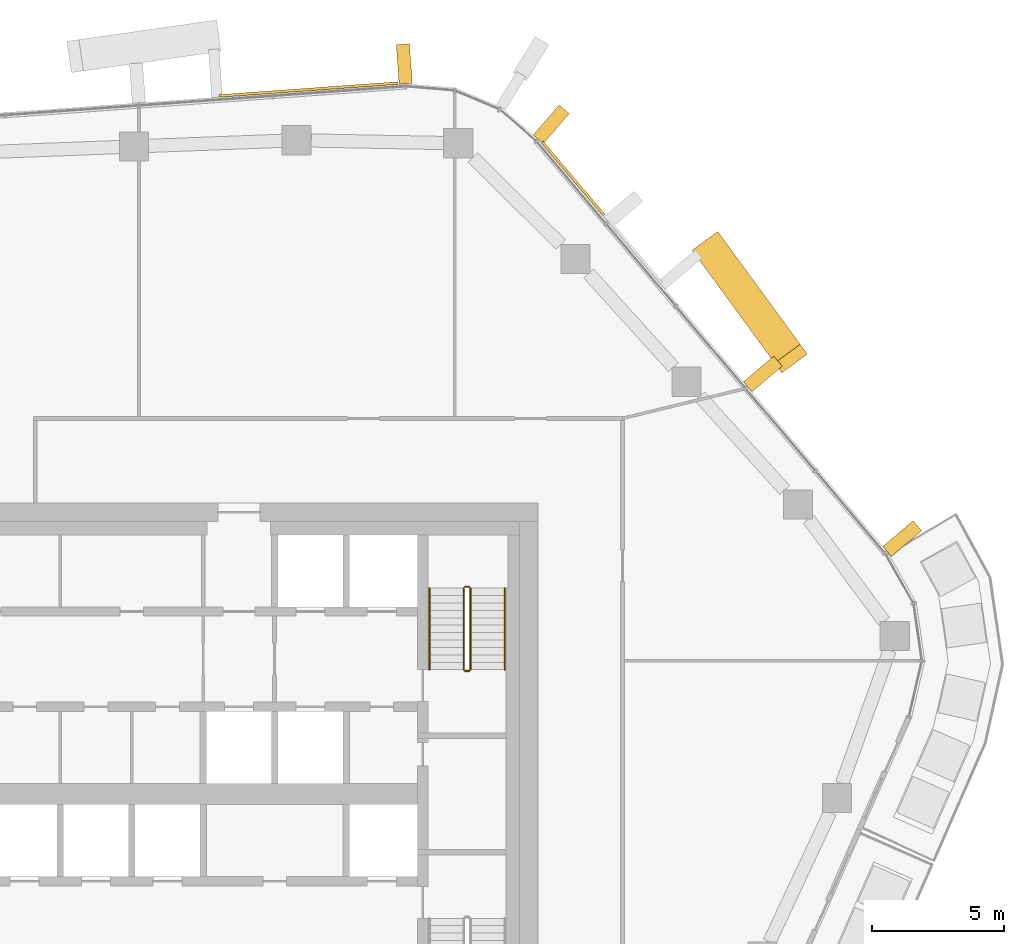
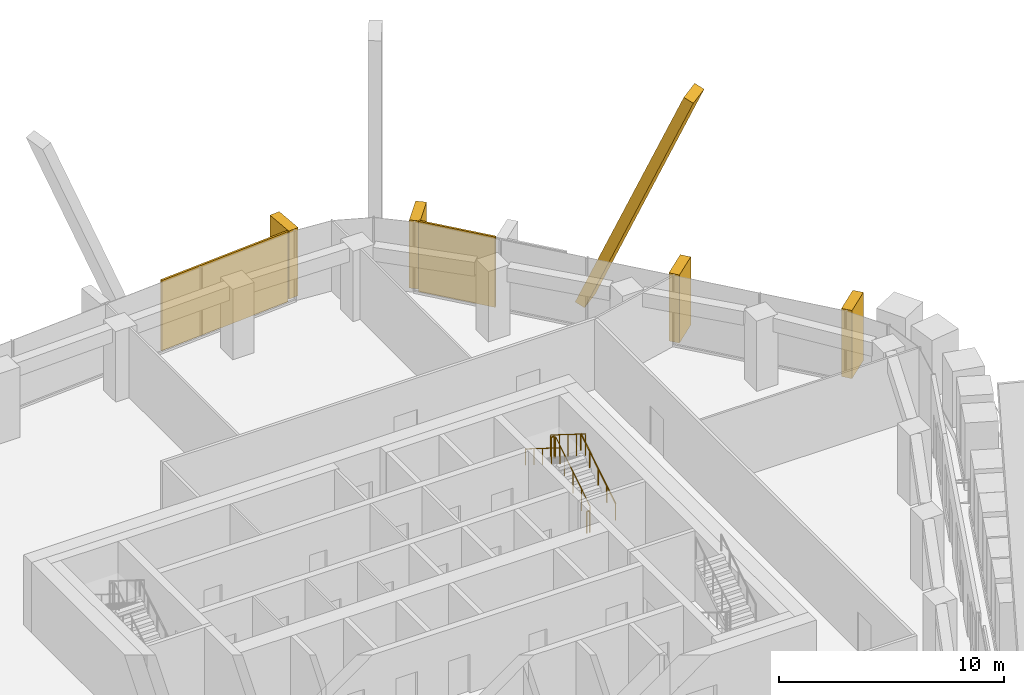
# One storey, part 19 of 20: 7 coverings, 6 railings, 3 elements without a shape of their own.
"""IFC4 building model written with IfcOpenShell, lengths in metres."""

from ifc_helpers import new_model, si_unit, direction, frame, origin, origin_2d, place, context, subcontext, project, spatial, rectangle, circle, extrude, material, layer, layer_set, material_profile, profile_set, type_object, element, aggregate, save


model = new_model("IFC4")

# Units and contexts
model_context = context("Model", 3, precision=1e-05, world=origin(), true_north=direction((0.0, 1.0)))
body_context = subcontext(model_context, "Body", "Model", "MODEL_VIEW")
ifc_project = project(units=[si_unit("LENGTHUNIT", "METRE"), si_unit("AREAUNIT", "SQUARE_METRE"), si_unit("VOLUMEUNIT", "CUBIC_METRE"), si_unit("PLANEANGLEUNIT", "RADIAN"), si_unit("MASSUNIT", "GRAM", prefix="KILO")], contexts=[model_context])

# Site, building, storey
site_placement = place(None, origin())
site = spatial("IfcSite", under=ifc_project, at=site_placement, CompositionType="ELEMENT")
building_placement = place(site_placement, origin())
building = spatial("IfcBuilding", under=site, at=building_placement, Name="Dongbaek Canopy Tower", CompositionType="ELEMENT")
storey_placement = place(building_placement, frame((0.0, 0.0, 266.39990234375)))
storey = spatial("IfcBuildingStorey", under=building, at=storey_placement, Name="L56", CompositionType="ELEMENT", Elevation=266.39990234375)

# Curtain wall, coverings
ifc_material_1 = material(Name="Aluminium 6063-T6 pale anodised", Category="aluminium")
ifc_layer_1 = layer(ifc_material_1, 0.199951171875)
ifc_layer_set_1 = layer_set([ifc_layer_1], Name="CW-1 unitised tower curtain wall")
curtain_wall_type = type_object("IfcCurtainWallType", Name="CW-1 unitised tower curtain wall", PredefinedType="NOTDEFINED", material=ifc_layer_set_1)
curtain_wall_1_placement = place(storey_placement, origin())
curtain_wall_1 = element("IfcCurtainWall", 1, at=curtain_wall_1_placement, inside=storey, type_object=curtain_wall_type, Name="CW-1 curtain wall F0.1", PredefinedType="NOTDEFINED")
ifc_material_2 = material(Name="Aluminium 6063-T6 pale metal fin", Category="aluminium")
ifc_material_profile_1 = material_profile(ifc_material_2, rectangle(XDim=1.199951171875, YDim=0.5, at=origin_2d()), Name="Crease fin CF1 500 x 1200 pale metal")
ifc_profile_set_1 = profile_set([ifc_material_profile_1], Name="Aluminium 6063-T6 pale metal fin")
covering_type_1 = type_object("IfcCoveringType", Name="Crease fin CF1 500 x 1200 pale metal", PredefinedType="CLADDING", material=ifc_profile_set_1)
covering_1_placement = place(storey_placement, frame((20.4501953125, 20.724365234375, -0.18994140625), z_axis=(0.228238257247, -0.312150169564, 0.922209070423), x_axis=(0.807232769031, 0.590233222212, 0.0)))
covering_1 = element("IfcCovering", 2, at=covering_1_placement, type_object=covering_type_1, Name="Crease fin L56 L59 F0", PredefinedType="CLADDING", context=body_context, shape_type="SweptSolid", body=[
    extrude(rectangle(XDim=1.199951171875, YDim=0.5, at=origin_2d()), origin(), (0.0, 0.0, 1.0), 13.662841796875),
])
ifc_material_3 = material(Name="Perforated aluminium 6063-T6 pale metal screen", Category="aluminium")
ifc_layer_2 = layer(ifc_material_3, 0.10009765625)
ifc_layer_set_2 = layer_set([ifc_layer_2], Name="Facet screen FS1 100 pale metal")
covering_type_2 = type_object("IfcCoveringType", Name="Facet screen FS1 100 pale metal", PredefinedType="CLADDING", material=ifc_layer_set_2)
covering_2_placement = place(storey_placement, frame((15.335205078125, 23.26220703125, 0.0), z_axis=(0.0, 0.0, 1.0), x_axis=(-0.6460547082, 0.763291106991, 0.0)))
covering_2 = element("IfcCovering", 3, at=covering_2_placement, type_object=covering_type_2, Name="Facet screen L56 F0", PredefinedType="CLADDING", context=body_context, shape_type="SweptSolid", body=[
    extrude(rectangle(XDim=3.627197265625, YDim=0.10009765625, at=origin_2d()), origin(), (0.0, 0.0, 1.0), 3.820068359375),
])

# Curtain wall, covering
curtain_wall_2_placement = place(storey_placement, origin())
curtain_wall_2 = element("IfcCurtainWall", 4, at=curtain_wall_2_placement, inside=storey, type_object=curtain_wall_type, Name="CW-1 curtain wall F1.1", PredefinedType="NOTDEFINED")
covering_3_placement = place(storey_placement, frame((5.3271484375, 26.632080078125, 0.0), z_axis=(0.0, 0.0, 1.0), x_axis=(-0.997423032604, -0.07174464462, 0.0)))
covering_3 = element("IfcCovering", 5, at=covering_3_placement, type_object=covering_type_2, Name="Facet screen L56 F1", PredefinedType="CLADDING", context=body_context, shape_type="SweptSolid", body=[
    extrude(rectangle(XDim=6.785400390625, YDim=0.10009765625, at=origin_2d()), origin(), (0.0, 0.0, 1.0), 3.820068359375),
])

# Covering
ifc_material_4 = material(Name="Aluminium 6063-T6 pale metal fin", Category="aluminium")
ifc_material_profile_2 = material_profile(ifc_material_4, rectangle(XDim=1.5, YDim=0.5, at=origin_2d()), Name="Fin FN1 500 x 1500 pale metal")
ifc_profile_set_2 = profile_set([ifc_material_profile_2], Name="Aluminium 6063-T6 pale metal fin")
covering_type_3 = type_object("IfcCoveringType", Name="Fin FN1 500 x 1500 pale metal", PredefinedType="CLADDING", material=ifc_profile_set_2)
covering_4_placement = place(storey_placement, frame((27.77587890625, 9.65380859375, 0.1201171875), z_axis=(0.0, 0.0, 1.0), x_axis=(0.763290756517, 0.646055122273, 0.0)))
covering_4 = element("IfcCovering", 6, at=covering_4_placement, type_object=covering_type_3, Name="Fin F0.1.1", PredefinedType="CLADDING", context=body_context, shape_type="SweptSolid", body=[
    extrude(rectangle(XDim=1.5, YDim=0.5, at=origin_2d()), origin(), (0.0, 0.0, 1.0), 3.699951171875),
])

covering_5_placement = place(storey_placement, frame((22.5068359375, 15.87890625, 0.1201171875), z_axis=(0.0, 0.0, 1.0), x_axis=(0.763290756517, 0.646055122273, 0.0)))
covering_5 = element("IfcCovering", 7, at=covering_5_placement, type_object=covering_type_3, Name="Fin F0.1.3", PredefinedType="CLADDING", context=body_context, shape_type="SweptSolid", body=[
    extrude(rectangle(XDim=1.5, YDim=0.5, at=origin_2d()), origin(), (0.0, 0.0, 1.0), 3.699951171875),
])

aggregate(curtain_wall_1, [covering_4, covering_5, covering_1, covering_2])

# Curtain wall, covering
curtain_wall_3_placement = place(storey_placement, origin())
curtain_wall_3 = element("IfcCurtainWall", 8, at=curtain_wall_3_placement, inside=storey, type_object=curtain_wall_type, Name="CW-1 curtain wall K1.1", PredefinedType="NOTDEFINED")
covering_6_placement = place(storey_placement, frame((14.505615234375, 25.31591796875, 0.1201171875), z_axis=(0.0, 0.0, 1.0), x_axis=(0.653115962595, 0.757257908115, 0.0)))
covering_6 = element("IfcCovering", 9, at=covering_6_placement, type_object=covering_type_3, Name="Fin K1.1.1", PredefinedType="CLADDING", context=body_context, shape_type="SweptSolid", body=[
    extrude(rectangle(XDim=1.5, YDim=0.5, at=origin_2d()), origin(), (0.0, 0.0, 1.0), 3.699951171875),
])
aggregate(curtain_wall_3, [covering_6])

# Covering
covering_7_placement = place(storey_placement, frame((8.949951171875, 27.5986328125, 0.1201171875), z_axis=(0.0, 0.0, 1.0), x_axis=(-0.07174408026, 0.997423073198, 0.0)))
covering_7 = element("IfcCovering", 10, at=covering_7_placement, type_object=covering_type_3, Name="Fin F1.1.1", PredefinedType="CLADDING", context=body_context, shape_type="SweptSolid", body=[
    extrude(rectangle(XDim=1.5, YDim=0.5, at=origin_2d()), origin(), (0.0, 0.0, 1.0), 3.699951171875),
])

aggregate(curtain_wall_2, [covering_7, covering_3])

# Railings
ifc_material_5 = material(Name="Stainless steel tube and balusters", Category="steel")
railing_type_1 = type_object("IfcRailingType", Name="Stair guard 1200", PredefinedType="GUARDRAIL", material=ifc_material_5)
railing_1_placement = place(storey_placement, frame((11.449951171875, 4.699951171875, 0.175048828125)))
element("IfcRailing", 11, at=railing_1_placement, inside=storey, type_object=railing_type_1, Name="L56 ST-A stair guard 1", PredefinedType="GUARDRAIL", context=body_context, shape_type="SweptSolid", body=[
    extrude(circle(Radius=0.02392578125, at=origin_2d()), frame((0.0, 0.0, 1.17578125), z_axis=(0.0, 0.847998304005, 0.529998940003), x_axis=(-1.0, 0.0, 0.0)), (0.0, 0.0, 1.0), 3.632080078125),
    extrude(circle(Radius=0.02099609375, at=origin_2d()), origin(), (0.0, 0.0, 1.0), 1.15185546875),
    extrude(circle(Radius=0.02099609375, at=origin_2d()), frame((0.0, 0.77001953125, 0.481201171875)), (0.0, 0.0, 1.0), 1.15185546875),
    extrude(circle(Radius=0.02099609375, at=origin_2d()), frame((0.0, 1.5400390625, 0.96240234375)), (0.0, 0.0, 1.0), 1.15185546875),
    extrude(circle(Radius=0.02099609375, at=origin_2d()), frame((0.0, 2.31005859375, 1.44384765625)), (0.0, 0.0, 1.0), 1.15185546875),
    extrude(circle(Radius=0.02099609375, at=origin_2d()), frame((0.0, 3.080078125, 1.925048828125)), (0.0, 0.0, 1.0), 1.15185546875),
])
railing_2_placement = place(storey_placement, frame((11.39990234375, 7.830078125, 2.10009765625)))
element("IfcRailing", 12, at=railing_2_placement, inside=storey, type_object=railing_type_1, Name="L56 ST-A stair guard 2", PredefinedType="GUARDRAIL", context=body_context, shape_type="SweptSolid", body=[
    extrude(circle(Radius=0.02392578125, at=origin_2d()), frame((0.0, 0.0, 1.17578125), z_axis=(-1.0, 0.0, 0.0), x_axis=(0.0, -1.0, 0.0)), (0.0, 0.0, 1.0), 0.14990234375),
    extrude(circle(Radius=0.02099609375, at=origin_2d()), origin(), (0.0, 0.0, 1.0), 1.15185546875),
    extrude(circle(Radius=0.02099609375, at=origin_2d()), frame((-0.14990234375, 0.0, 0.0)), (0.0, 0.0, 1.0), 1.15185546875),
])
railing_3_placement = place(storey_placement, frame((11.199951171875, 7.780029296875, 2.275146484375)))
element("IfcRailing", 13, at=railing_3_placement, inside=storey, type_object=railing_type_1, Name="L56 ST-A stair guard 3", PredefinedType="GUARDRAIL", context=body_context, shape_type="SweptSolid", body=[
    extrude(circle(Radius=0.02392578125, at=origin_2d()), frame((0.0, 0.0, 1.17578125), z_axis=(0.0, -0.847998304005, 0.529998940003), x_axis=(1.0, 0.0, 0.0)), (0.0, 0.0, 1.0), 3.632080078125),
    extrude(circle(Radius=0.02099609375, at=origin_2d()), origin(), (0.0, 0.0, 1.0), 1.15185546875),
    extrude(circle(Radius=0.02099609375, at=origin_2d()), frame((0.0, -0.77001953125, 0.481201171875)), (0.0, 0.0, 1.0), 1.15185546875),
    extrude(circle(Radius=0.02099609375, at=origin_2d()), frame((0.0, -1.5400390625, 0.96240234375)), (0.0, 0.0, 1.0), 1.15185546875),
    extrude(circle(Radius=0.02099609375, at=origin_2d()), frame((0.0, -2.31005859375, 1.44384765625)), (0.0, 0.0, 1.0), 1.15185546875),
    extrude(circle(Radius=0.02099609375, at=origin_2d()), frame((0.0, -3.080078125, 1.925048828125)), (0.0, 0.0, 1.0), 1.15185546875),
])
railing_4_placement = place(storey_placement, frame((11.39990234375, 4.64990234375, 0.0)))
element("IfcRailing", 14, at=railing_4_placement, inside=storey, type_object=railing_type_1, Name="L56 ST-A stair guard 4", PredefinedType="GUARDRAIL", context=body_context, shape_type="SweptSolid", body=[
    extrude(circle(Radius=0.02392578125, at=origin_2d()), frame((0.0, 0.0, 1.17578125), z_axis=(-1.0, 0.0, 0.0), x_axis=(0.0, -1.0, 0.0)), (0.0, 0.0, 1.0), 0.14990234375),
    extrude(circle(Radius=0.02099609375, at=origin_2d()), origin(), (0.0, 0.0, 1.0), 1.15185546875),
    extrude(circle(Radius=0.02099609375, at=origin_2d()), frame((-0.14990234375, 0.0, 0.0)), (0.0, 0.0, 1.0), 1.15185546875),
])
ifc_material_6 = material(Name="Stainless steel tube", Category="steel")
railing_type_2 = type_object("IfcRailingType", Name="Stair handrail 900", PredefinedType="HANDRAIL", material=ifc_material_6)
railing_5_placement = place(storey_placement, frame((12.75, 4.699951171875, 0.175048828125)))
element("IfcRailing", 15, at=railing_5_placement, inside=storey, type_object=railing_type_2, Name="L56 ST-A stair handrail 1", PredefinedType="HANDRAIL", context=body_context, shape_type="SweptSolid", body=[
    extrude(circle(Radius=0.02392578125, at=origin_2d()), frame((0.0, 0.0, 0.8759765625), z_axis=(0.0, 0.847998304005, 0.529998940003), x_axis=(-1.0, 0.0, 0.0)), (0.0, 0.0, 1.0), 3.632080078125),
    extrude(circle(Radius=0.02099609375, at=origin_2d()), origin(), (0.0, 0.0, 1.0), 0.851806640625),
    extrude(circle(Radius=0.02099609375, at=origin_2d()), frame((0.0, 0.77001953125, 0.481201171875)), (0.0, 0.0, 1.0), 0.851806640625),
    extrude(circle(Radius=0.02099609375, at=origin_2d()), frame((0.0, 1.5400390625, 0.96240234375)), (0.0, 0.0, 1.0), 0.851806640625),
    extrude(circle(Radius=0.02099609375, at=origin_2d()), frame((0.0, 2.31005859375, 1.44384765625)), (0.0, 0.0, 1.0), 0.851806640625),
    extrude(circle(Radius=0.02099609375, at=origin_2d()), frame((0.0, 3.080078125, 1.925048828125)), (0.0, 0.0, 1.0), 0.851806640625),
])
railing_6_placement = place(storey_placement, frame((9.89990234375, 7.780029296875, 2.275146484375)))
element("IfcRailing", 16, at=railing_6_placement, inside=storey, type_object=railing_type_2, Name="L56 ST-A stair handrail 2", PredefinedType="HANDRAIL", context=body_context, shape_type="SweptSolid", body=[
    extrude(circle(Radius=0.02392578125, at=origin_2d()), frame((0.0, 0.0, 0.8759765625), z_axis=(0.0, -0.847998304005, 0.529998940003), x_axis=(1.0, 0.0, 0.0)), (0.0, 0.0, 1.0), 3.632080078125),
    extrude(circle(Radius=0.02099609375, at=origin_2d()), origin(), (0.0, 0.0, 1.0), 0.851806640625),
    extrude(circle(Radius=0.02099609375, at=origin_2d()), frame((0.0, -0.77001953125, 0.481201171875)), (0.0, 0.0, 1.0), 0.851806640625),
    extrude(circle(Radius=0.02099609375, at=origin_2d()), frame((0.0, -1.5400390625, 0.96240234375)), (0.0, 0.0, 1.0), 0.851806640625),
    extrude(circle(Radius=0.02099609375, at=origin_2d()), frame((0.0, -2.31005859375, 1.44384765625)), (0.0, 0.0, 1.0), 0.851806640625),
    extrude(circle(Radius=0.02099609375, at=origin_2d()), frame((0.0, -3.080078125, 1.925048828125)), (0.0, 0.0, 1.0), 0.851806640625),
])

save(model, "model.ifc")
